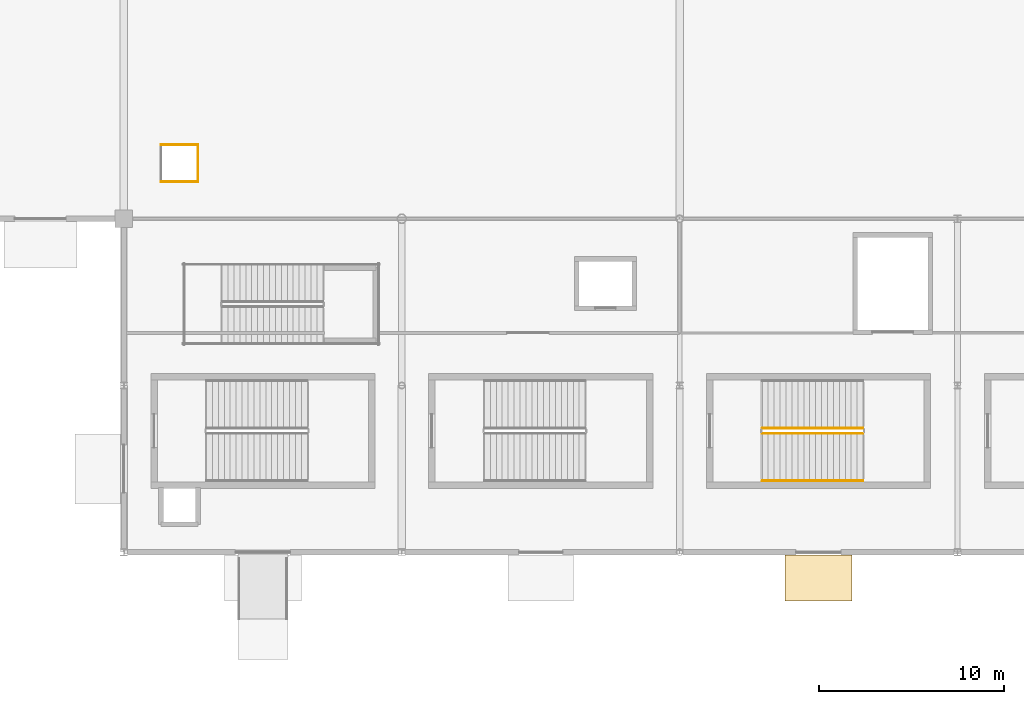
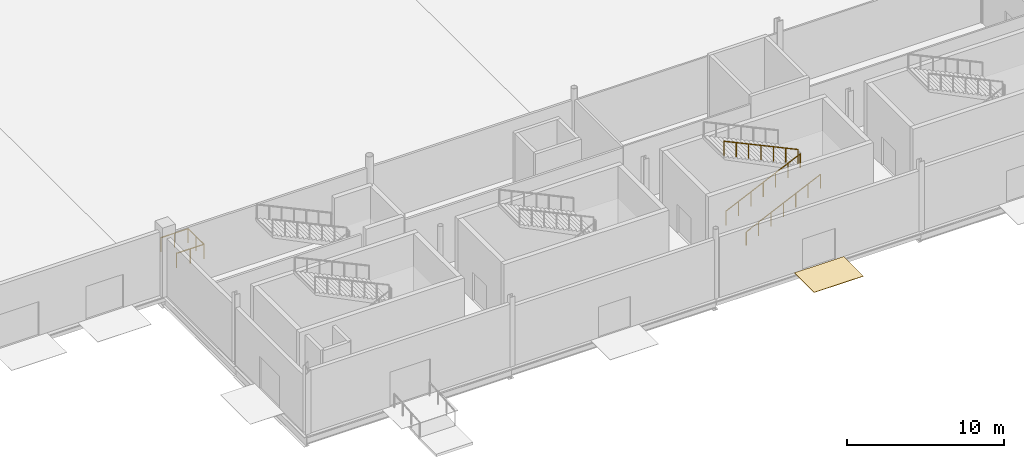
# One storey, part 75 of 94: 6 railings, 1 covering.
"""IFC4 building model written with IfcOpenShell, lengths in metres."""

from ifc_helpers import new_model, si_unit, direction, frame, origin, origin_2d, place, context, subcontext, project, spatial, rectangle, circle, extrude, material, layer, layer_set, type_object, element, save


model = new_model("IFC4")

# Units and contexts
model_context = context("Model", 3, precision=1e-05, world=origin(), true_north=direction((0.0, 1.0)))
body_context = subcontext(model_context, "Body", "Model", "MODEL_VIEW")
ifc_project = project(units=[si_unit("LENGTHUNIT", "METRE"), si_unit("AREAUNIT", "SQUARE_METRE"), si_unit("VOLUMEUNIT", "CUBIC_METRE"), si_unit("PLANEANGLEUNIT", "RADIAN"), si_unit("MASSUNIT", "GRAM", prefix="KILO")], contexts=[model_context])

# Site, building, storey
site_placement = place(None, origin())
site = spatial("IfcSite", under=ifc_project, at=site_placement, CompositionType="ELEMENT")
building_placement = place(site_placement, origin())
building = spatial("IfcBuilding", under=site, at=building_placement, Name="Qamarlyn Nura Convention Centre", CompositionType="ELEMENT")
storey_placement = place(building_placement, origin())
storey = spatial("IfcBuildingStorey", under=building, at=storey_placement, Name="L00", CompositionType="ELEMENT", Elevation=0.0)

# Covering
ifc_material_1 = material(Name="Polished coastal aggregate terrazzo")
ifc_layer = layer(ifc_material_1, 0.030029296875, Name="COV-FLOOR-TERR")
ifc_layer_set = layer_set([ifc_layer], Name="Polished coastal aggregate terrazzo")
covering_type = type_object("IfcCoveringType", Name="COV-FLOOR-TERR", PredefinedType="FLOORING", material=ifc_layer_set)
covering_placement = place(storey_placement, frame((97.495361328125, -1.389892578125, -0.02978515625), z_axis=(0.0, 0.0, 1.0), x_axis=(-1.0, 0.0, 0.0)))
element("IfcCovering", 1, at=covering_placement, inside=storey, type_object=covering_type, Name="Exterior exit threshold apron E-18", PredefinedType="FLOORING", context=body_context, shape_type="SweptSolid", body=[
    extrude(rectangle(XDim=3.6201171875, YDim=2.5, at=origin_2d()), origin(), (0.0, 0.0, 1.0), 0.030029296875),
])

# Railings
ifc_material_2 = material(Name="Marine Grade 316 stainless steel", Category="steel")
railing_type_1 = type_object("IfcRailingType", Name="GRD-STAIR-112", PredefinedType="BALUSTRADE", material=ifc_material_2)
railing_1_placement = place(storey_placement, frame((94.4599609375, 6.409912109375, 0.14990234375)))
element("IfcRailing", 2, at=railing_1_placement, inside=storey, type_object=railing_type_1, Name="L00 ST-07 stair guard 1", PredefinedType="BALUSTRADE", context=body_context, shape_type="SweptSolid", body=[
    extrude(circle(Radius=0.02392578125, at=origin_2d()), frame((0.0, 0.0, 1.09619140625), z_axis=(0.90545405566, 0.0, 0.424444287379), x_axis=(0.0, 1.0, 0.0)), (0.0, 0.0, 1.0), 6.008056640625),
    extrude(circle(Radius=0.02099609375, at=origin_2d()), origin(), (0.0, 0.0, 1.0), 1.070068359375),
    extrude(circle(Radius=0.02099609375, at=origin_2d()), frame((0.90673828125, 0.0, 0.425048828125)), (0.0, 0.0, 1.0), 1.070068359375),
    extrude(circle(Radius=0.02099609375, at=origin_2d()), frame((1.813232421875, 0.0, 0.85009765625)), (0.0, 0.0, 1.0), 1.070068359375),
    extrude(circle(Radius=0.02099609375, at=origin_2d()), frame((2.719970703125, 0.0, 1.27490234375)), (0.0, 0.0, 1.0), 1.070068359375),
    extrude(circle(Radius=0.02099609375, at=origin_2d()), frame((3.626708984375, 0.0, 1.699951171875)), (0.0, 0.0, 1.0), 1.070068359375),
    extrude(circle(Radius=0.02099609375, at=origin_2d()), frame((4.533203125, 0.0, 2.125)), (0.0, 0.0, 1.0), 1.070068359375),
    extrude(circle(Radius=0.02099609375, at=origin_2d()), frame((5.43994140625, 0.0, 2.550048828125)), (0.0, 0.0, 1.0), 1.070068359375),
])
railing_2_placement = place(storey_placement, frame((99.89990234375, 6.68994140625, 2.85009765625)))
element("IfcRailing", 3, at=railing_2_placement, inside=storey, type_object=railing_type_1, Name="L00 ST-07 stair guard 3", PredefinedType="BALUSTRADE", context=body_context, shape_type="SweptSolid", body=[
    extrude(circle(Radius=0.02392578125, at=origin_2d()), frame((0.0, 0.0, 1.09619140625), z_axis=(-0.90546967238, 0.0, 0.424410971113), x_axis=(0.0, -1.0, 0.0)), (0.0, 0.0, 1.0), 6.0078125),
    extrude(circle(Radius=0.02099609375, at=origin_2d()), origin(), (0.0, 0.0, 1.0), 1.070068359375),
    extrude(circle(Radius=0.02099609375, at=origin_2d()), frame((-0.90673828125, 0.0, 0.425048828125)), (0.0, 0.0, 1.0), 1.070068359375),
    extrude(circle(Radius=0.02099609375, at=origin_2d()), frame((-1.813232421875, 0.0, 0.849853515625)), (0.0, 0.0, 1.0), 1.070068359375),
    extrude(circle(Radius=0.02099609375, at=origin_2d()), frame((-2.719970703125, 0.0, 1.27490234375)), (0.0, 0.0, 1.0), 1.070068359375),
    extrude(circle(Radius=0.02099609375, at=origin_2d()), frame((-3.626708984375, 0.0, 1.699951171875)), (0.0, 0.0, 1.0), 1.070068359375),
    extrude(circle(Radius=0.02099609375, at=origin_2d()), frame((-4.533203125, 0.0, 2.124755859375)), (0.0, 0.0, 1.0), 1.070068359375),
    extrude(circle(Radius=0.02099609375, at=origin_2d()), frame((-5.43994140625, 0.0, 2.5498046875)), (0.0, 0.0, 1.0), 1.070068359375),
])
railing_type_2 = type_object("IfcRailingType", Name="GRD-VOID-112", PredefinedType="BALUSTRADE", material=ifc_material_2)
railing_3_placement = place(storey_placement, frame((62.0, 20.0, 0.0)))
element("IfcRailing", 4, at=railing_3_placement, inside=storey, type_object=railing_type_2, Name="L00 slab edge balustrade guard 010", PredefinedType="BALUSTRADE", context=body_context, shape_type="SweptSolid", body=[
    extrude(circle(Radius=0.02392578125, at=origin_2d()), frame((0.0, 0.0, 1.09619140625), z_axis=(1.0, 0.0, 0.0), x_axis=(0.0, 1.0, 0.0)), (0.0, 0.0, 1.0), 2.0),
    extrude(circle(Radius=0.02099609375, at=origin_2d()), origin(), (0.0, 0.0, 1.0), 1.070068359375),
    extrude(circle(Radius=0.02099609375, at=origin_2d()), frame((1.0, 0.0, 0.0)), (0.0, 0.0, 1.0), 1.070068359375),
    extrude(circle(Radius=0.02099609375, at=origin_2d()), frame((2.0, 0.0, 0.0)), (0.0, 0.0, 1.0), 1.070068359375),
])
railing_4_placement = place(storey_placement, frame((64.0, 20.0, 0.0)))
element("IfcRailing", 5, at=railing_4_placement, inside=storey, type_object=railing_type_2, Name="L00 slab edge balustrade guard 011", PredefinedType="BALUSTRADE", context=body_context, shape_type="SweptSolid", body=[
    extrude(circle(Radius=0.02392578125, at=origin_2d()), frame((0.0, 0.0, 1.09619140625), z_axis=(0.0, 1.0, 0.0), x_axis=(-1.0, 0.0, 0.0)), (0.0, 0.0, 1.0), 2.0),
    extrude(circle(Radius=0.02099609375, at=origin_2d()), origin(), (0.0, 0.0, 1.0), 1.070068359375),
    extrude(circle(Radius=0.02099609375, at=origin_2d()), frame((0.0, 1.0, 0.0)), (0.0, 0.0, 1.0), 1.070068359375),
    extrude(circle(Radius=0.02099609375, at=origin_2d()), frame((0.0, 2.0, 0.0)), (0.0, 0.0, 1.0), 1.070068359375),
])
railing_5_placement = place(storey_placement, frame((64.0, 22.0, 0.0)))
element("IfcRailing", 6, at=railing_5_placement, inside=storey, type_object=railing_type_2, Name="L00 slab edge balustrade guard 012", PredefinedType="BALUSTRADE", context=body_context, shape_type="SweptSolid", body=[
    extrude(circle(Radius=0.02392578125, at=origin_2d()), frame((0.0, 0.0, 1.09619140625), z_axis=(-1.0, 0.0, 0.0), x_axis=(0.0, -1.0, 0.0)), (0.0, 0.0, 1.0), 2.0),
    extrude(circle(Radius=0.02099609375, at=origin_2d()), origin(), (0.0, 0.0, 1.0), 1.070068359375),
    extrude(circle(Radius=0.02099609375, at=origin_2d()), frame((-1.0, 0.0, 0.0)), (0.0, 0.0, 1.0), 1.070068359375),
    extrude(circle(Radius=0.02099609375, at=origin_2d()), frame((-2.0, 0.0, 0.0)), (0.0, 0.0, 1.0), 1.070068359375),
])
railing_type_3 = type_object("IfcRailingType", Name="HRL-STAIR-090", PredefinedType="HANDRAIL", material=ifc_material_2)
railing_6_placement = place(storey_placement, frame((94.4599609375, 3.85009765625, 0.30224609375)))
element("IfcRailing", 7, at=railing_6_placement, inside=storey, type_object=railing_type_3, Name="L00 ST-07 stair handrail 1", PredefinedType="HANDRAIL", context=body_context, shape_type="SweptSolid", body=[
    extrude(circle(Radius=0.02392578125, at=origin_2d()), frame((0.0, 0.0, 0.88818359375), z_axis=(0.90545405566, 0.0, 0.424444287379), x_axis=(0.0, 1.0, 0.0)), (0.0, 0.0, 1.0), 6.008056640625),
    extrude(circle(Radius=0.02099609375, at=origin_2d()), frame((0.0, 0.0, -0.155029296875)), (0.0, 0.0, 1.0), 1.01708984375),
    extrude(circle(Radius=0.02099609375, at=origin_2d()), frame((0.90673828125, 0.0, 0.27001953125)), (0.0, 0.0, 1.0), 1.01708984375),
    extrude(circle(Radius=0.02099609375, at=origin_2d()), frame((1.813232421875, 0.0, 0.695068359375)), (0.0, 0.0, 1.0), 1.01708984375),
    extrude(circle(Radius=0.02099609375, at=origin_2d()), frame((2.719970703125, 0.0, 1.1201171875)), (0.0, 0.0, 1.0), 1.01708984375),
    extrude(circle(Radius=0.02099609375, at=origin_2d()), frame((3.626708984375, 0.0, 1.544921875)), (0.0, 0.0, 1.0), 1.01708984375),
    extrude(circle(Radius=0.02099609375, at=origin_2d()), frame((4.533203125, 0.0, 1.969970703125)), (0.0, 0.0, 1.0), 1.01708984375),
    extrude(circle(Radius=0.02099609375, at=origin_2d()), frame((5.43994140625, 0.0, 2.39501953125)), (0.0, 0.0, 1.0), 1.01708984375),
])

save(model, "model.ifc")
